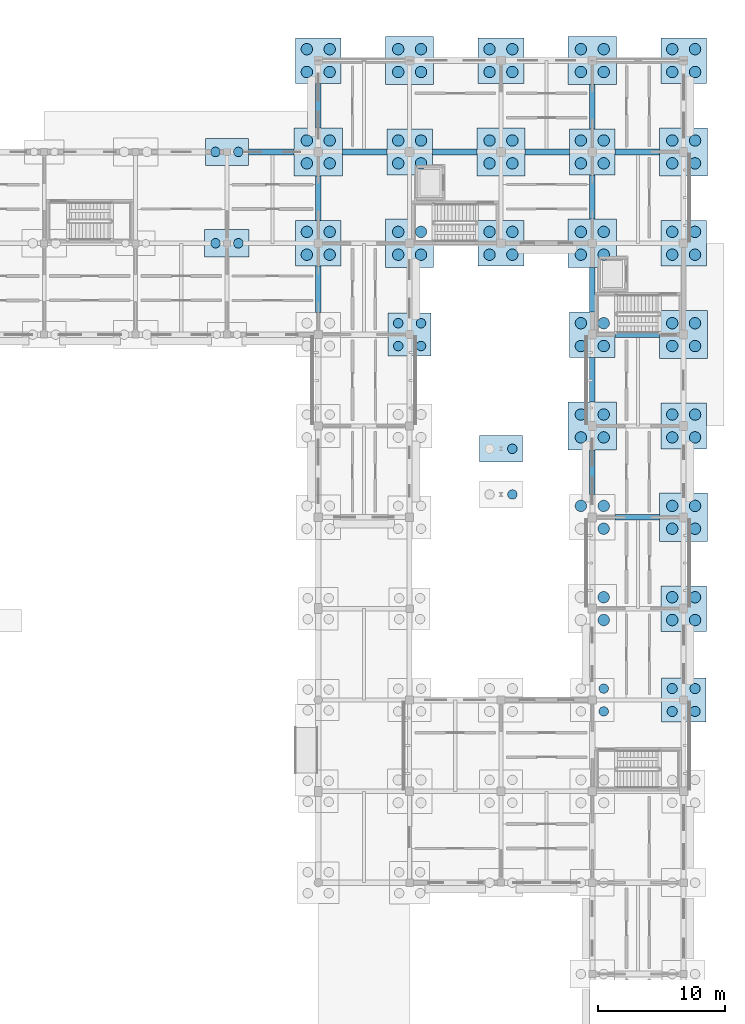
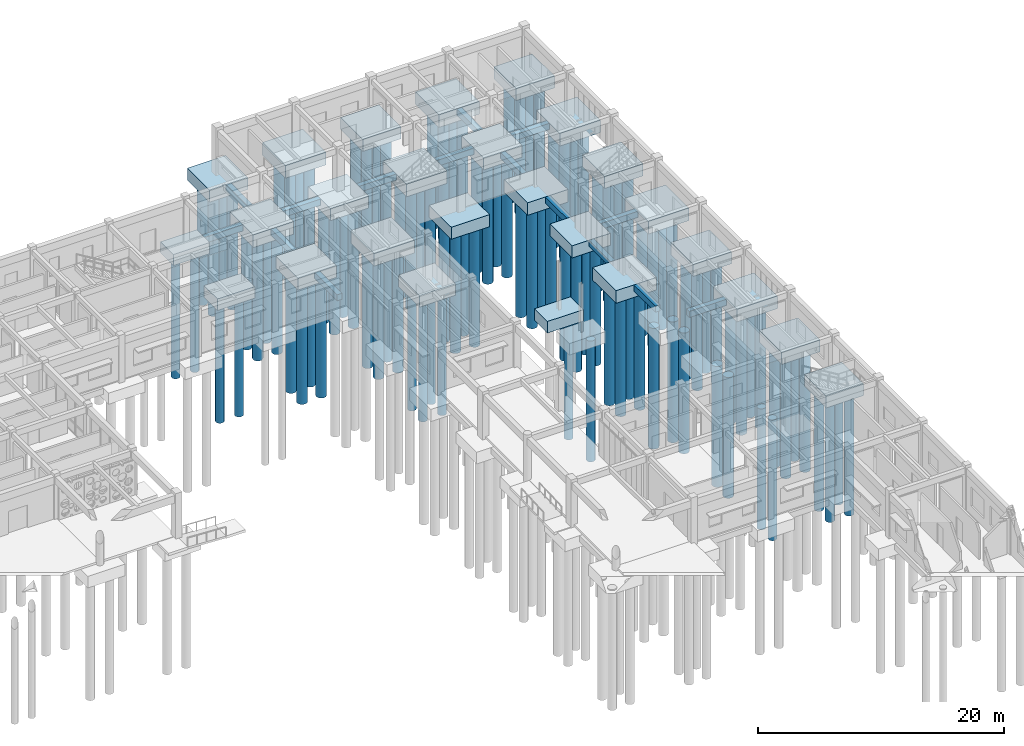
# One storey, part 6 of 111: 105 piles, 41 footings.
"""IFC4 building model written with IfcOpenShell, lengths in metres."""

from ifc_helpers import new_model, si_unit, direction, frame, origin, origin_2d, place, context, subcontext, project, spatial, rectangle, circle, extrude, material, layer, layer_set, material_profile, profile_set, type_object, element, save


model = new_model("IFC4")

# Units and contexts
model_context = context("Model", 3, precision=1e-05, world=origin(), true_north=direction((0.0, 1.0)))
body_context = subcontext(model_context, "Body", "Model", "MODEL_VIEW")
ifc_project = project(units=[si_unit("LENGTHUNIT", "METRE"), si_unit("AREAUNIT", "SQUARE_METRE"), si_unit("VOLUMEUNIT", "CUBIC_METRE"), si_unit("PLANEANGLEUNIT", "RADIAN"), si_unit("MASSUNIT", "GRAM", prefix="KILO")], contexts=[model_context])

# Site, building, storey
site_placement = place(None, origin())
site = spatial("IfcSite", under=ifc_project, at=site_placement, CompositionType="ELEMENT")
building_placement = place(site_placement, origin())
building = spatial("IfcBuilding", under=site, at=building_placement, Name="Aldebral Square Health Centre", CompositionType="ELEMENT")
storey_placement = place(building_placement, origin())
storey = spatial("IfcBuildingStorey", under=building, at=storey_placement, Name="L00", CompositionType="ELEMENT", Elevation=0.0)

# Footings
ifc_material = material(Name="Concrete C35/45", Category="concrete")
ifc_layer_1 = layer(ifc_material, 1.14990234375, Name="Concrete C35/45", Category="concrete")
ifc_layer_set_1 = layer_set([ifc_layer_1], Name="Concrete C35/45")
footing_type_1 = type_object("IfcFootingType", Name="FT-PC2A", PredefinedType="PILE_CAP", material=ifc_layer_set_1)
footing_1_placement = place(storey_placement, frame((129.60009765625, 100.800048828125, -1.39990234375), z_axis=(0.0, 0.0, 1.0), x_axis=(1.0, 0.0, 0.0)))
element("IfcFooting", 1, at=footing_1_placement, inside=storey, type_object=footing_type_1, Name="Pile cap PC7 at 19/15", PredefinedType="PILE_CAP", context=body_context, shape_type="SweptSolid", body=[
    extrude(rectangle(XDim=3.5, YDim=2.199951171875, at=origin_2d()), origin(), (0.0, 0.0, 1.0), 1.14990234375),
])
ifc_layer_2 = layer(ifc_material, 1.10009765625, Name="Concrete C35/45", Category="concrete")
ifc_layer_set_2 = layer_set([ifc_layer_2], Name="Concrete C35/45")
footing_type_2 = type_object("IfcFootingType", Name="FT-PC2B", PredefinedType="PILE_CAP", material=ifc_layer_set_2)
footing_2_placement = place(storey_placement, frame((129.60009765625, 108.0, -1.35009765625), z_axis=(0.0, 0.0, 1.0), x_axis=(1.0, 0.0, 0.0)))
element("IfcFooting", 2, at=footing_2_placement, inside=storey, type_object=footing_type_2, Name="Pile cap PC8 at 19/16", PredefinedType="PILE_CAP", context=body_context, shape_type="SweptSolid", body=[
    extrude(rectangle(XDim=3.39990234375, YDim=2.10009765625, at=origin_2d()), origin(), (0.0, 0.0, 1.0), 1.10009765625),
])
ifc_layer_3 = layer(ifc_material, 1.14990234375, Name="Concrete C35/45", Category="concrete")
ifc_layer_set_3 = layer_set([ifc_layer_3], Name="Concrete C35/45")
footing_type_3 = type_object("IfcFootingType", Name="FT-PC2E", PredefinedType="PILE_CAP", material=ifc_layer_set_3)
footing_3_placement = place(storey_placement, frame((151.199951171875, 84.60009765625, -1.425048828125), z_axis=(0.0, 0.0, 1.0), x_axis=(1.0, 0.0, 0.0)))
element("IfcFooting", 3, at=footing_3_placement, inside=storey, type_object=footing_type_3, Name="Bridge pier cap 21-12", PredefinedType="PILE_CAP", context=body_context, shape_type="SweptSolid", body=[
    extrude(rectangle(XDim=3.39990234375, YDim=2.10009765625, at=origin_2d()), origin(), (0.0, 0.0, 1.0), 1.14990234375),
])
ifc_layer_4 = layer(ifc_material, 1.25, Name="Concrete C35/45", Category="concrete")
ifc_layer_set_4 = layer_set([ifc_layer_4], Name="Concrete C35/45")
footing_type_4 = type_object("IfcFootingType", Name="FT-PC4A", PredefinedType="PILE_CAP", material=ifc_layer_set_4)
for number, where, z_axis, x_axis, name in (
    (4, (136.800048828125, 108.0, -1.5), (0.0, 0.0, 1.0), (1.0, 0.0, 0.0), "Pile cap PC1 at 20/16"),
    (5, (144.0, 100.800048828125, -1.5), (0.0, 0.0, 1.0), (1.0, 0.0, 0.0), "Pile cap PC1 at 21/15"),
    (6, (144.0, 115.199951171875, -1.5), (0.0, 0.0, 1.0), (1.0, 0.0, 0.0), "Pile cap PC1 at 21/17"),
    (7, (151.199951171875, 108.0, -1.5), (0.0, 0.0, 1.0), (1.0, 0.0, 0.0), "Pile cap PC1 at 22/16"),
    (8, (158.39990234375, 86.39990234375, -1.5), (0.0, 0.0, 1.0), (1.0, 0.0, 0.0), "Pile cap PC1 at 23/13"),
    (9, (158.39990234375, 100.800048828125, -1.5), (0.0, 0.0, 1.0), (1.0, 0.0, 0.0), "Pile cap PC1 at 23/15"),
    (10, (158.39990234375, 115.199951171875, -1.5), (0.0, 0.0, 1.0), (1.0, 0.0, 0.0), "Pile cap PC1 at 23/17"),
    (11, (165.60009765625, 79.199951171875, -1.5), (0.0, 0.0, 1.0), (1.0, 0.0, 0.0), "Pile cap PC1 at 24/12"),
    (12, (165.60009765625, 93.60009765625, -1.5), (0.0, 0.0, 1.0), (1.0, 0.0, 0.0), "Pile cap PC1 at 24/14"),
    (13, (165.60009765625, 108.0, -1.5), (0.0, 0.0, 1.0), (1.0, 0.0, 0.0), "Pile cap PC1 at 24/16"),
):
    element("IfcFooting", number, at=place(storey_placement, frame(where, z_axis=z_axis, x_axis=x_axis)), inside=storey, type_object=footing_type_4, Name=name, PredefinedType="PILE_CAP", context=body_context, shape_type="SweptSolid", body=[
        extrude(rectangle(XDim=3.800048828125, YDim=3.800048828125, at=origin_2d()), origin(), (0.0, 0.0, 1.0), 1.25),
    ])
ifc_layer_5 = layer(ifc_material, 1.199951171875, Name="Concrete C35/45", Category="concrete")
ifc_layer_set_5 = layer_set([ifc_layer_5], Name="Concrete C35/45")
footing_type_5 = type_object("IfcFootingType", Name="FT-PC4B", PredefinedType="PILE_CAP", material=ifc_layer_set_5)
for number, where, z_axis, x_axis, name in (
    (14, (136.800048828125, 100.800048828125, -1.4501953125), (0.0, 0.0, 1.0), (1.0, 0.0, 0.0), "Pile cap PC2 at 20/15"),
    (15, (136.800048828125, 115.199951171875, -1.4501953125), (0.0, 0.0, 1.0), (1.0, 0.0, 0.0), "Pile cap PC2 at 20/17"),
    (16, (144.0, 108.0, -1.4501953125), (0.0, 0.0, 1.0), (1.0, 0.0, 0.0), "Pile cap PC2 at 21/16"),
    (17, (151.199951171875, 100.800048828125, -1.4501953125), (0.0, 0.0, 1.0), (1.0, 0.0, 0.0), "Pile cap PC2 at 22/15"),
    (18, (151.199951171875, 115.199951171875, -1.4501953125), (0.0, 0.0, 1.0), (1.0, 0.0, 0.0), "Pile cap PC2 at 22/17"),
    (19, (158.39990234375, 93.60009765625, -1.4501953125), (0.0, 0.0, 1.0), (1.0, 0.0, 0.0), "Pile cap PC2 at 23/14"),
    (20, (158.39990234375, 108.0, -1.4501953125), (0.0, 0.0, 1.0), (1.0, 0.0, 0.0), "Pile cap PC2 at 23/16"),
    (21, (165.60009765625, 72.0, -1.4501953125), (0.0, 0.0, 1.0), (1.0, 0.0, 0.0), "Pile cap PC2 at 24/11"),
    (22, (165.60009765625, 86.39990234375, -1.4501953125), (0.0, 0.0, 1.0), (1.0, 0.0, 0.0), "Pile cap PC2 at 24/13"),
    (23, (165.60009765625, 100.800048828125, -1.4501953125), (0.0, 0.0, 1.0), (1.0, 0.0, 0.0), "Pile cap PC2 at 24/15"),
    (24, (165.60009765625, 115.199951171875, -1.4501953125), (0.0, 0.0, 1.0), (1.0, 0.0, 0.0), "Pile cap PC2 at 24/17"),
):
    element("IfcFooting", number, at=place(storey_placement, frame(where, z_axis=z_axis, x_axis=x_axis)), inside=storey, type_object=footing_type_5, Name=name, PredefinedType="PILE_CAP", context=body_context, shape_type="SweptSolid", body=[
        extrude(rectangle(XDim=3.60009765625, YDim=3.60009765625, at=origin_2d()), origin(), (0.0, 0.0, 1.0), 1.199951171875),
    ])
ifc_layer_6 = layer(ifc_material, 1.199951171875, Name="Concrete C35/45", Category="concrete")
ifc_layer_set_6 = layer_set([ifc_layer_6], Name="Concrete C35/45")
footing_type_6 = type_object("IfcFootingType", Name="FT-PC4C", PredefinedType="PILE_CAP", material=ifc_layer_set_6)
footing_4_placement = place(storey_placement, frame((165.60009765625, 64.800048828125, -1.4501953125), z_axis=(0.0, 0.0, 1.0), x_axis=(1.0, 0.0, 0.0)))
element("IfcFooting", 25, at=footing_4_placement, inside=storey, type_object=footing_type_6, Name="Pile cap PC3 at 24/10", PredefinedType="PILE_CAP", context=body_context, shape_type="SweptSolid", body=[
    extrude(rectangle(XDim=3.5, YDim=3.5, at=origin_2d()), origin(), (0.0, 0.0, 1.0), 1.199951171875),
])
ifc_layer_7 = layer(ifc_material, 1.14990234375, Name="Concrete C35/45", Category="concrete")
ifc_layer_set_7 = layer_set([ifc_layer_7], Name="Concrete C35/45")
footing_type_7 = type_object("IfcFootingType", Name="FT-PC4D", PredefinedType="PILE_CAP", material=ifc_layer_set_7)
footing_5_placement = place(storey_placement, frame((144.0, 93.60009765625, -1.39990234375), z_axis=(0.0, 0.0, 1.0), x_axis=(1.0, 0.0, 0.0)))
element("IfcFooting", 26, at=footing_5_placement, inside=storey, type_object=footing_type_7, Name="Pile cap PC4 at 21/14", PredefinedType="PILE_CAP", context=body_context, shape_type="SweptSolid", body=[
    extrude(rectangle(XDim=3.39990234375, YDim=3.39990234375, at=origin_2d()), origin(), (0.0, 0.0, 1.0), 1.14990234375),
])
ifc_material_profile_1 = material_profile(ifc_material, rectangle(XDim=0.449951171875, YDim=0.60009765625, at=origin_2d()), Name="RC 450x600")
ifc_profile_set_1 = profile_set([ifc_material_profile_1], Name="Concrete C35/45")
footing_type_8 = type_object("IfcFootingType", Name="FT-TB1", PredefinedType="FOOTING_BEAM", material=ifc_profile_set_1)
footing_6_placement = place(storey_placement, frame((131.300048828125, 108.0, -0.550048828125), z_axis=(1.0, 0.0, 0.0), x_axis=(0.0, 1.0, 0.0)))
element("IfcFooting", 27, at=footing_6_placement, inside=storey, type_object=footing_type_8, Name="Ground tie beam X 19-16", PredefinedType="FOOTING_BEAM", context=body_context, shape_type="SweptSolid", body=[
    extrude(rectangle(XDim=0.449951171875, YDim=0.60009765625, at=origin_2d()), origin(), (0.0, 0.0, 1.0), 3.599853515625),
])
footing_7_placement = place(storey_placement, frame((136.800048828125, 95.35009765625, -0.550048828125), z_axis=(0.0, 1.0, 0.0), x_axis=(-1.0, 0.0, 0.0)))
element("IfcFooting", 28, at=footing_7_placement, inside=storey, type_object=footing_type_8, Name="Ground tie beam Y 20-14", PredefinedType="FOOTING_BEAM", context=body_context, shape_type="SweptSolid", body=[
    extrude(rectangle(XDim=0.449951171875, YDim=0.60009765625, at=origin_2d()), origin(), (0.0, 0.0, 1.0), 3.64990234375),
])
for number, where, z_axis, x_axis, name in (
    (29, (136.800048828125, 102.60009765625, -0.550048828125), (0.0, 1.0, 0.0), (-1.0, 0.0, 0.0), "Ground tie beam Y 20-15"),
    (30, (138.699951171875, 108.0, -0.550048828125), (1.0, 0.0, 0.0), (0.0, 1.0, 0.0), "Ground tie beam X 20-16"),
    (31, (136.800048828125, 109.89990234375, -0.550048828125), (0.0, 1.0, 0.0), (-1.0, 0.0, 0.0), "Ground tie beam Y 20-16"),
    (32, (145.800048828125, 108.0, -0.550048828125), (1.0, 0.0, 0.0), (0.0, 1.0, 0.0), "Ground tie beam X 21-16"),
    (33, (153.10009765625, 108.0, -0.550048828125), (1.0, 0.0, 0.0), (0.0, 1.0, 0.0), "Ground tie beam X 22-16"),
    (34, (160.199951171875, 79.199951171875, -0.550048828125), (1.0, 0.0, 0.0), (0.0, 1.0, 0.0), "Ground tie beam X 23-12"),
    (35, (158.39990234375, 81.0, -0.550048828125), (0.0, 1.0, 0.0), (-1.0, 0.0, 0.0), "Ground tie beam Y 23-12"),
    (36, (158.39990234375, 88.300048828125, -0.550048828125), (0.0, 1.0, 0.0), (-1.0, 0.0, 0.0), "Ground tie beam Y 23-13"),
    (37, (160.199951171875, 93.60009765625, -0.550048828125), (1.0, 0.0, 0.0), (0.0, 1.0, 0.0), "Ground tie beam X 23-14"),
    (38, (158.39990234375, 95.39990234375, -0.550048828125), (0.0, 1.0, 0.0), (-1.0, 0.0, 0.0), "Ground tie beam Y 23-14"),
    (39, (158.39990234375, 102.699951171875, -0.550048828125), (0.0, 1.0, 0.0), (-1.0, 0.0, 0.0), "Ground tie beam Y 23-15"),
    (40, (160.199951171875, 108.0, -0.550048828125), (1.0, 0.0, 0.0), (0.0, 1.0, 0.0), "Ground tie beam X 23-16"),
    (41, (158.39990234375, 109.800048828125, -0.550048828125), (0.0, 1.0, 0.0), (-1.0, 0.0, 0.0), "Ground tie beam Y 23-16"),
):
    element("IfcFooting", number, at=place(storey_placement, frame(where, z_axis=z_axis, x_axis=x_axis)), inside=storey, type_object=footing_type_8, Name=name, PredefinedType="FOOTING_BEAM", context=body_context, shape_type="SweptSolid", body=[
        extrude(rectangle(XDim=0.449951171875, YDim=0.60009765625, at=origin_2d()), origin(), (0.0, 0.0, 1.0), 3.5),
    ])

# Piles
ifc_material_profile_2 = material_profile(ifc_material, circle(Radius=0.375, at=origin_2d()), Name="PILE D750")
ifc_profile_set_2 = profile_set([ifc_material_profile_2], Name="Concrete C35/45")
pile_type_1 = type_object("IfcPileType", Name="PL-750", PredefinedType="BORED", material=ifc_profile_set_2)
for number, where, z_axis, x_axis, name in (
    (42, (128.699951171875, 100.800048828125, -1.300048828125), (0.0, 0.0, -1.0), (1.0, 0.0, 0.0), "Bored pile 19-15-1"),
    (43, (130.5, 100.800048828125, -1.300048828125), (0.0, 0.0, -1.0), (1.0, 0.0, 0.0), "Bored pile 19-15-2"),
    (44, (128.699951171875, 108.0, -1.25), (0.0, 0.0, -1.0), (1.0, 0.0, 0.0), "Bored pile 19-16-1"),
    (45, (130.5, 108.0, -1.25), (0.0, 0.0, -1.0), (1.0, 0.0, 0.0), "Bored pile 19-16-2"),
    (46, (143.10009765625, 92.699951171875, -1.300048828125), (0.0, 0.0, -1.0), (1.0, 0.0, 0.0), "Bored pile 21-14-1"),
    (47, (144.89990234375, 92.699951171875, -1.300048828125), (0.0, 0.0, -1.0), (1.0, 0.0, 0.0), "Bored pile 21-14-2"),
    (48, (143.10009765625, 94.5, -1.300048828125), (0.0, 0.0, -1.0), (1.0, 0.0, 0.0), "Bored pile 21-14-3"),
    (49, (144.89990234375, 94.5, -1.300048828125), (0.0, 0.0, -1.0), (1.0, 0.0, 0.0), "Bored pile 21-14-4"),
    (50, (159.300048828125, 63.89990234375, -1.300048828125), (0.0, 0.0, -1.0), (1.0, 0.0, 0.0), "Bored pile 23-10-2"),
    (51, (159.300048828125, 65.699951171875, -1.300048828125), (0.0, 0.0, -1.0), (1.0, 0.0, 0.0), "Bored pile 23-10-4"),
    (52, (152.10009765625, 81.0, -1.324951171875), (0.0, 0.0, -1.0), (1.0, 0.0, 0.0), "Bridge bored pile 21-11-2"),
    (53, (152.10009765625, 84.60009765625, -1.324951171875), (0.0, 0.0, -1.0), (1.0, 0.0, 0.0), "Bridge bored pile 21-12-2"),
):
    element("IfcPile", number, at=place(storey_placement, frame(where, z_axis=z_axis, x_axis=x_axis)), inside=storey, type_object=pile_type_1, Name=name, PredefinedType="BORED", context=body_context, shape_type="SweptSolid", body=[
        extrude(circle(Radius=0.375, at=origin_2d()), origin(), (0.0, 0.0, 1.0), 12.0),
    ])
ifc_material_profile_3 = material_profile(ifc_material, circle(Radius=0.39990234375, at=origin_2d()), Name="PILE D800")
ifc_profile_set_3 = profile_set([ifc_material_profile_3], Name="Concrete C35/45")
pile_type_2 = type_object("IfcPileType", Name="PL-800", PredefinedType="BORED", material=ifc_profile_set_3)
for number, where, z_axis, x_axis, name in (
    (54, (164.699951171875, 63.89990234375, -1.35009765625), (0.0, 0.0, -1.0), (1.0, 0.0, 0.0), "Bored pile 24-10-1"),
    (55, (166.5, 63.89990234375, -1.35009765625), (0.0, 0.0, -1.0), (1.0, 0.0, 0.0), "Bored pile 24-10-2"),
    (56, (164.699951171875, 65.699951171875, -1.35009765625), (0.0, 0.0, -1.0), (1.0, 0.0, 0.0), "Bored pile 24-10-3"),
    (57, (166.5, 65.699951171875, -1.35009765625), (0.0, 0.0, -1.0), (1.0, 0.0, 0.0), "Bored pile 24-10-4"),
):
    element("IfcPile", number, at=place(storey_placement, frame(where, z_axis=z_axis, x_axis=x_axis)), inside=storey, type_object=pile_type_2, Name=name, PredefinedType="BORED", context=body_context, shape_type="SweptSolid", body=[
        extrude(circle(Radius=0.39990234375, at=origin_2d()), origin(), (0.0, 0.0, 1.0), 12.0),
    ])
ifc_material_profile_4 = material_profile(ifc_material, circle(Radius=0.449951171875, at=origin_2d()), Name="PILE D900")
ifc_profile_set_4 = profile_set([ifc_material_profile_4], Name="Concrete C35/45")
pile_type_3 = type_object("IfcPileType", Name="PL-900", PredefinedType="BORED", material=ifc_profile_set_4)
for number, where, z_axis, x_axis, name in (
    (58, (135.89990234375, 99.89990234375, -1.35009765625), (0.0, 0.0, -1.0), (1.0, 0.0, 0.0), "Bored pile 20-15-1"),
    (59, (137.699951171875, 99.89990234375, -1.35009765625), (0.0, 0.0, -1.0), (1.0, 0.0, 0.0), "Bored pile 20-15-2"),
    (60, (135.89990234375, 101.699951171875, -1.35009765625), (0.0, 0.0, -1.0), (1.0, 0.0, 0.0), "Bored pile 20-15-3"),
    (61, (137.699951171875, 101.699951171875, -1.35009765625), (0.0, 0.0, -1.0), (1.0, 0.0, 0.0), "Bored pile 20-15-4"),
    (62, (135.89990234375, 107.10009765625, -1.39990234375), (0.0, 0.0, -1.0), (1.0, 0.0, 0.0), "Bored pile 20-16-1"),
    (63, (137.699951171875, 107.10009765625, -1.39990234375), (0.0, 0.0, -1.0), (1.0, 0.0, 0.0), "Bored pile 20-16-2"),
    (64, (135.89990234375, 108.89990234375, -1.39990234375), (0.0, 0.0, -1.0), (1.0, 0.0, 0.0), "Bored pile 20-16-3"),
    (65, (137.699951171875, 108.89990234375, -1.39990234375), (0.0, 0.0, -1.0), (1.0, 0.0, 0.0), "Bored pile 20-16-4"),
    (66, (135.89990234375, 114.300048828125, -1.35009765625), (0.0, 0.0, -1.0), (1.0, 0.0, 0.0), "Bored pile 20-17-1"),
    (67, (137.699951171875, 114.300048828125, -1.35009765625), (0.0, 0.0, -1.0), (1.0, 0.0, 0.0), "Bored pile 20-17-2"),
    (68, (135.89990234375, 116.10009765625, -1.35009765625), (0.0, 0.0, -1.0), (1.0, 0.0, 0.0), "Bored pile 20-17-3"),
    (69, (137.699951171875, 116.10009765625, -1.35009765625), (0.0, 0.0, -1.0), (1.0, 0.0, 0.0), "Bored pile 20-17-4"),
    (70, (143.10009765625, 99.89990234375, -1.39990234375), (0.0, 0.0, -1.0), (1.0, 0.0, 0.0), "Bored pile 21-15-1"),
    (71, (144.89990234375, 99.89990234375, -1.39990234375), (0.0, 0.0, -1.0), (1.0, 0.0, 0.0), "Bored pile 21-15-2"),
    (72, (143.10009765625, 101.699951171875, -1.39990234375), (0.0, 0.0, -1.0), (1.0, 0.0, 0.0), "Bored pile 21-15-3"),
    (73, (144.89990234375, 101.699951171875, -1.39990234375), (0.0, 0.0, -1.0), (1.0, 0.0, 0.0), "Bored pile 21-15-4"),
    (74, (143.10009765625, 107.10009765625, -1.35009765625), (0.0, 0.0, -1.0), (1.0, 0.0, 0.0), "Bored pile 21-16-1"),
    (75, (144.89990234375, 107.10009765625, -1.35009765625), (0.0, 0.0, -1.0), (1.0, 0.0, 0.0), "Bored pile 21-16-2"),
    (76, (143.10009765625, 108.89990234375, -1.35009765625), (0.0, 0.0, -1.0), (1.0, 0.0, 0.0), "Bored pile 21-16-3"),
    (77, (144.89990234375, 108.89990234375, -1.35009765625), (0.0, 0.0, -1.0), (1.0, 0.0, 0.0), "Bored pile 21-16-4"),
    (78, (143.10009765625, 114.300048828125, -1.39990234375), (0.0, 0.0, -1.0), (1.0, 0.0, 0.0), "Bored pile 21-17-1"),
    (79, (144.89990234375, 114.300048828125, -1.39990234375), (0.0, 0.0, -1.0), (1.0, 0.0, 0.0), "Bored pile 21-17-2"),
    (80, (143.10009765625, 116.10009765625, -1.39990234375), (0.0, 0.0, -1.0), (1.0, 0.0, 0.0), "Bored pile 21-17-3"),
    (81, (144.89990234375, 116.10009765625, -1.39990234375), (0.0, 0.0, -1.0), (1.0, 0.0, 0.0), "Bored pile 21-17-4"),
    (82, (150.300048828125, 99.89990234375, -1.35009765625), (0.0, 0.0, -1.0), (1.0, 0.0, 0.0), "Bored pile 22-15-1"),
    (83, (152.10009765625, 99.89990234375, -1.35009765625), (0.0, 0.0, -1.0), (1.0, 0.0, 0.0), "Bored pile 22-15-2"),
    (84, (150.300048828125, 101.699951171875, -1.35009765625), (0.0, 0.0, -1.0), (1.0, 0.0, 0.0), "Bored pile 22-15-3"),
    (85, (152.10009765625, 101.699951171875, -1.35009765625), (0.0, 0.0, -1.0), (1.0, 0.0, 0.0), "Bored pile 22-15-4"),
    (86, (150.300048828125, 107.10009765625, -1.39990234375), (0.0, 0.0, -1.0), (1.0, 0.0, 0.0), "Bored pile 22-16-1"),
    (87, (152.10009765625, 107.10009765625, -1.39990234375), (0.0, 0.0, -1.0), (1.0, 0.0, 0.0), "Bored pile 22-16-2"),
    (88, (150.300048828125, 108.89990234375, -1.39990234375), (0.0, 0.0, -1.0), (1.0, 0.0, 0.0), "Bored pile 22-16-3"),
    (89, (152.10009765625, 108.89990234375, -1.39990234375), (0.0, 0.0, -1.0), (1.0, 0.0, 0.0), "Bored pile 22-16-4"),
    (90, (150.300048828125, 114.300048828125, -1.35009765625), (0.0, 0.0, -1.0), (1.0, 0.0, 0.0), "Bored pile 22-17-1"),
    (91, (152.10009765625, 114.300048828125, -1.35009765625), (0.0, 0.0, -1.0), (1.0, 0.0, 0.0), "Bored pile 22-17-2"),
    (92, (150.300048828125, 116.10009765625, -1.35009765625), (0.0, 0.0, -1.0), (1.0, 0.0, 0.0), "Bored pile 22-17-3"),
    (93, (152.10009765625, 116.10009765625, -1.35009765625), (0.0, 0.0, -1.0), (1.0, 0.0, 0.0), "Bored pile 22-17-4"),
    (94, (159.300048828125, 71.10009765625, -1.39990234375), (0.0, 0.0, -1.0), (1.0, 0.0, 0.0), "Bored pile 23-11-2"),
    (95, (159.300048828125, 72.89990234375, -1.39990234375), (0.0, 0.0, -1.0), (1.0, 0.0, 0.0), "Bored pile 23-11-4"),
    (96, (159.300048828125, 78.300048828125, -1.35009765625), (0.0, 0.0, -1.0), (1.0, 0.0, 0.0), "Bored pile 23-12-2"),
    (97, (157.5, 80.10009765625, -1.35009765625), (0.0, 0.0, -1.0), (1.0, 0.0, 0.0), "Bored pile 23-12-3"),
    (98, (159.300048828125, 80.10009765625, -1.35009765625), (0.0, 0.0, -1.0), (1.0, 0.0, 0.0), "Bored pile 23-12-4"),
    (99, (157.5, 85.5, -1.39990234375), (0.0, 0.0, -1.0), (1.0, 0.0, 0.0), "Bored pile 23-13-1"),
    (100, (159.300048828125, 85.5, -1.39990234375), (0.0, 0.0, -1.0), (1.0, 0.0, 0.0), "Bored pile 23-13-2"),
    (101, (157.5, 87.300048828125, -1.39990234375), (0.0, 0.0, -1.0), (1.0, 0.0, 0.0), "Bored pile 23-13-3"),
    (102, (159.300048828125, 87.300048828125, -1.39990234375), (0.0, 0.0, -1.0), (1.0, 0.0, 0.0), "Bored pile 23-13-4"),
    (103, (157.5, 92.699951171875, -1.35009765625), (0.0, 0.0, -1.0), (1.0, 0.0, 0.0), "Bored pile 23-14-1"),
    (104, (159.300048828125, 92.699951171875, -1.35009765625), (0.0, 0.0, -1.0), (1.0, 0.0, 0.0), "Bored pile 23-14-2"),
    (105, (157.5, 94.5, -1.35009765625), (0.0, 0.0, -1.0), (1.0, 0.0, 0.0), "Bored pile 23-14-3"),
    (106, (159.300048828125, 94.5, -1.35009765625), (0.0, 0.0, -1.0), (1.0, 0.0, 0.0), "Bored pile 23-14-4"),
    (107, (157.5, 99.89990234375, -1.39990234375), (0.0, 0.0, -1.0), (1.0, 0.0, 0.0), "Bored pile 23-15-1"),
    (108, (159.300048828125, 99.89990234375, -1.39990234375), (0.0, 0.0, -1.0), (1.0, 0.0, 0.0), "Bored pile 23-15-2"),
    (109, (157.5, 101.699951171875, -1.39990234375), (0.0, 0.0, -1.0), (1.0, 0.0, 0.0), "Bored pile 23-15-3"),
    (110, (159.300048828125, 101.699951171875, -1.39990234375), (0.0, 0.0, -1.0), (1.0, 0.0, 0.0), "Bored pile 23-15-4"),
    (111, (157.5, 107.10009765625, -1.35009765625), (0.0, 0.0, -1.0), (1.0, 0.0, 0.0), "Bored pile 23-16-1"),
    (112, (159.300048828125, 107.10009765625, -1.35009765625), (0.0, 0.0, -1.0), (1.0, 0.0, 0.0), "Bored pile 23-16-2"),
    (113, (157.5, 108.89990234375, -1.35009765625), (0.0, 0.0, -1.0), (1.0, 0.0, 0.0), "Bored pile 23-16-3"),
    (114, (159.300048828125, 108.89990234375, -1.35009765625), (0.0, 0.0, -1.0), (1.0, 0.0, 0.0), "Bored pile 23-16-4"),
    (115, (157.5, 114.300048828125, -1.39990234375), (0.0, 0.0, -1.0), (1.0, 0.0, 0.0), "Bored pile 23-17-1"),
    (116, (159.300048828125, 114.300048828125, -1.39990234375), (0.0, 0.0, -1.0), (1.0, 0.0, 0.0), "Bored pile 23-17-2"),
    (117, (157.5, 116.10009765625, -1.39990234375), (0.0, 0.0, -1.0), (1.0, 0.0, 0.0), "Bored pile 23-17-3"),
    (118, (159.300048828125, 116.10009765625, -1.39990234375), (0.0, 0.0, -1.0), (1.0, 0.0, 0.0), "Bored pile 23-17-4"),
    (119, (164.699951171875, 71.10009765625, -1.35009765625), (0.0, 0.0, -1.0), (1.0, 0.0, 0.0), "Bored pile 24-11-1"),
    (120, (166.5, 71.10009765625, -1.35009765625), (0.0, 0.0, -1.0), (1.0, 0.0, 0.0), "Bored pile 24-11-2"),
    (121, (164.699951171875, 72.89990234375, -1.35009765625), (0.0, 0.0, -1.0), (1.0, 0.0, 0.0), "Bored pile 24-11-3"),
    (122, (166.5, 72.89990234375, -1.35009765625), (0.0, 0.0, -1.0), (1.0, 0.0, 0.0), "Bored pile 24-11-4"),
    (123, (164.699951171875, 78.300048828125, -1.39990234375), (0.0, 0.0, -1.0), (1.0, 0.0, 0.0), "Bored pile 24-12-1"),
    (124, (166.5, 78.300048828125, -1.39990234375), (0.0, 0.0, -1.0), (1.0, 0.0, 0.0), "Bored pile 24-12-2"),
    (125, (164.699951171875, 80.10009765625, -1.39990234375), (0.0, 0.0, -1.0), (1.0, 0.0, 0.0), "Bored pile 24-12-3"),
    (126, (166.5, 80.10009765625, -1.39990234375), (0.0, 0.0, -1.0), (1.0, 0.0, 0.0), "Bored pile 24-12-4"),
    (127, (164.699951171875, 85.5, -1.35009765625), (0.0, 0.0, -1.0), (1.0, 0.0, 0.0), "Bored pile 24-13-1"),
    (128, (166.5, 85.5, -1.35009765625), (0.0, 0.0, -1.0), (1.0, 0.0, 0.0), "Bored pile 24-13-2"),
    (129, (164.699951171875, 87.300048828125, -1.35009765625), (0.0, 0.0, -1.0), (1.0, 0.0, 0.0), "Bored pile 24-13-3"),
    (130, (166.5, 87.300048828125, -1.35009765625), (0.0, 0.0, -1.0), (1.0, 0.0, 0.0), "Bored pile 24-13-4"),
    (131, (164.699951171875, 92.699951171875, -1.39990234375), (0.0, 0.0, -1.0), (1.0, 0.0, 0.0), "Bored pile 24-14-1"),
    (132, (166.5, 92.699951171875, -1.39990234375), (0.0, 0.0, -1.0), (1.0, 0.0, 0.0), "Bored pile 24-14-2"),
    (133, (164.699951171875, 94.5, -1.39990234375), (0.0, 0.0, -1.0), (1.0, 0.0, 0.0), "Bored pile 24-14-3"),
    (134, (166.5, 94.5, -1.39990234375), (0.0, 0.0, -1.0), (1.0, 0.0, 0.0), "Bored pile 24-14-4"),
    (135, (164.699951171875, 99.89990234375, -1.35009765625), (0.0, 0.0, -1.0), (1.0, 0.0, 0.0), "Bored pile 24-15-1"),
    (136, (166.5, 99.89990234375, -1.35009765625), (0.0, 0.0, -1.0), (1.0, 0.0, 0.0), "Bored pile 24-15-2"),
    (137, (164.699951171875, 101.699951171875, -1.35009765625), (0.0, 0.0, -1.0), (1.0, 0.0, 0.0), "Bored pile 24-15-3"),
    (138, (166.5, 101.699951171875, -1.35009765625), (0.0, 0.0, -1.0), (1.0, 0.0, 0.0), "Bored pile 24-15-4"),
    (139, (164.699951171875, 107.10009765625, -1.39990234375), (0.0, 0.0, -1.0), (1.0, 0.0, 0.0), "Bored pile 24-16-1"),
    (140, (166.5, 107.10009765625, -1.39990234375), (0.0, 0.0, -1.0), (1.0, 0.0, 0.0), "Bored pile 24-16-2"),
    (141, (164.699951171875, 108.89990234375, -1.39990234375), (0.0, 0.0, -1.0), (1.0, 0.0, 0.0), "Bored pile 24-16-3"),
    (142, (166.5, 108.89990234375, -1.39990234375), (0.0, 0.0, -1.0), (1.0, 0.0, 0.0), "Bored pile 24-16-4"),
    (143, (164.699951171875, 114.300048828125, -1.35009765625), (0.0, 0.0, -1.0), (1.0, 0.0, 0.0), "Bored pile 24-17-1"),
    (144, (166.5, 114.300048828125, -1.35009765625), (0.0, 0.0, -1.0), (1.0, 0.0, 0.0), "Bored pile 24-17-2"),
    (145, (164.699951171875, 116.10009765625, -1.35009765625), (0.0, 0.0, -1.0), (1.0, 0.0, 0.0), "Bored pile 24-17-3"),
    (146, (166.5, 116.10009765625, -1.35009765625), (0.0, 0.0, -1.0), (1.0, 0.0, 0.0), "Bored pile 24-17-4"),
):
    element("IfcPile", number, at=place(storey_placement, frame(where, z_axis=z_axis, x_axis=x_axis)), inside=storey, type_object=pile_type_3, Name=name, PredefinedType="BORED", context=body_context, shape_type="SweptSolid", body=[
        extrude(circle(Radius=0.449951171875, at=origin_2d()), origin(), (0.0, 0.0, 1.0), 12.0),
    ])

save(model, "model.ifc")
